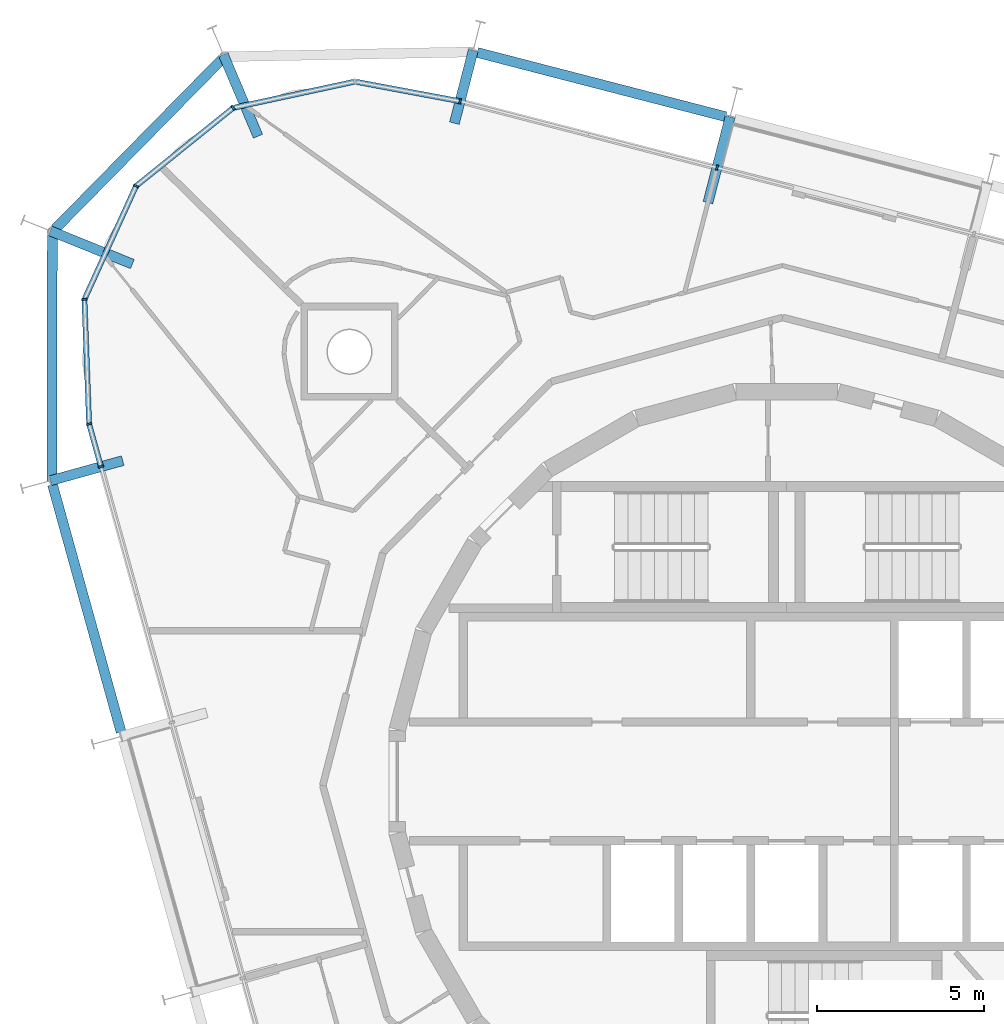
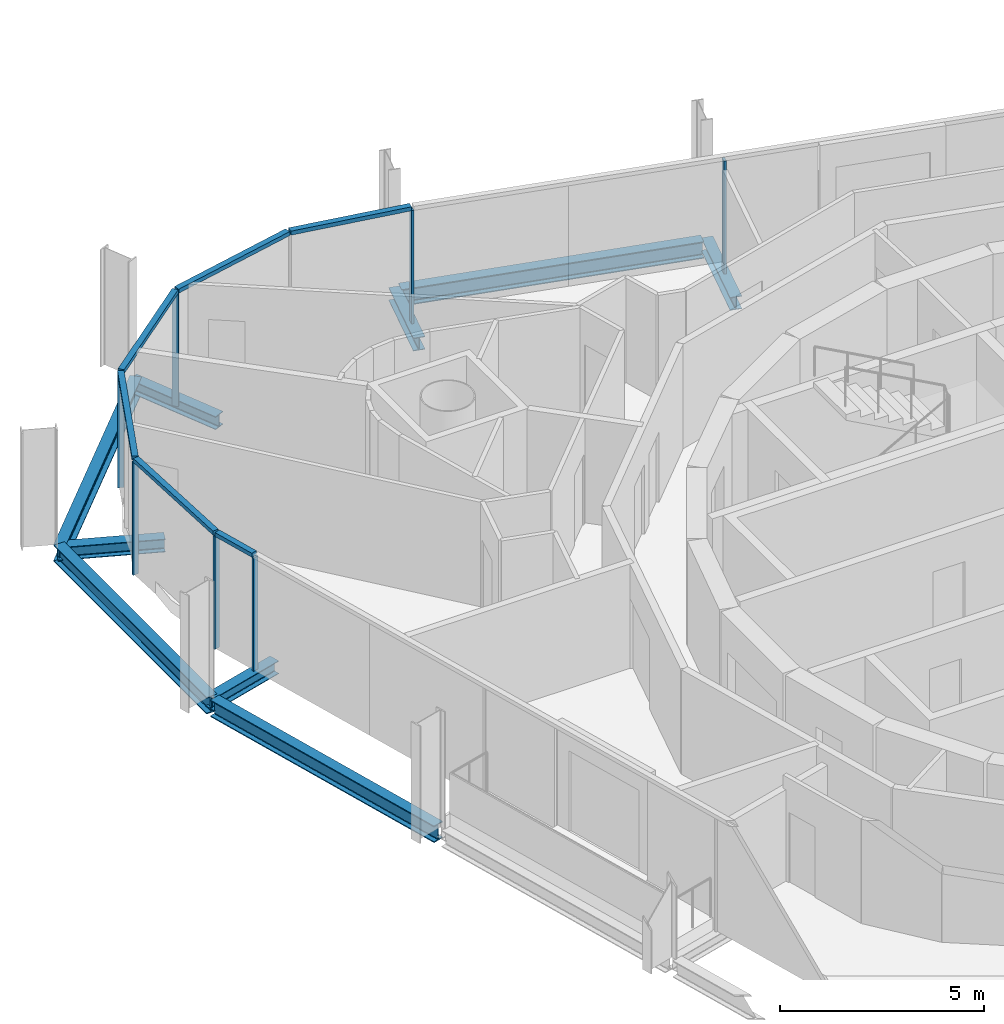
# One storey, part 5 of 15: 13 members, 9 beams, 3 elements without a shape of their own.
"""IFC4 building model written with IfcOpenShell, lengths in metres."""

from ifc_helpers import new_model, si_unit, direction, frame, origin, origin_2d, place, context, subcontext, project, spatial, rectangle, i_section, extrude, material, layer, layer_set, material_profile, profile_set, type_object, element, aggregate, save


model = new_model("IFC4")

# Units and contexts
model_context = context("Model", 3, precision=1e-05, world=origin(), true_north=direction((0.0, 1.0)))
body_context = subcontext(model_context, "Body", "Model", "MODEL_VIEW")
ifc_project = project(units=[si_unit("LENGTHUNIT", "METRE"), si_unit("AREAUNIT", "SQUARE_METRE"), si_unit("VOLUMEUNIT", "CUBIC_METRE"), si_unit("PLANEANGLEUNIT", "RADIAN"), si_unit("MASSUNIT", "GRAM", prefix="KILO")], contexts=[model_context])

# Site, building, storey
site_placement = place(None, origin())
site = spatial("IfcSite", under=ifc_project, at=site_placement, CompositionType="ELEMENT")
building_placement = place(site_placement, origin())
building = spatial("IfcBuilding", under=site, at=building_placement, Name="Spindle Arch Residences", CompositionType="ELEMENT")
storey_placement = place(building_placement, frame((0.0, 0.0, 305.199951171875)))
storey = spatial("IfcBuildingStorey", under=building, at=storey_placement, Name="L78", CompositionType="ELEMENT", Elevation=305.199951171875)

# Curtain wall, member
ifc_material_1 = material(Name="Aluminium bronze unitised frame with tinted glass", Category="aluminium")
ifc_layer_1 = layer(ifc_material_1, 0.159912109375)
ifc_layer_set_1 = layer_set([ifc_layer_1], Name="CW-C typical residential unitised wall")
curtain_wall_type_1 = type_object("IfcCurtainWallType", Name="CW-C typical residential unitised wall", PredefinedType="NOTDEFINED", material=ifc_layer_set_1)
curtain_wall_1_placement = place(storey_placement, origin())
curtain_wall_1 = element("IfcCurtainWall", 1, at=curtain_wall_1_placement, inside=storey, type_object=curtain_wall_type_1, Name="CW-C L78 run 2", PredefinedType="NOTDEFINED")
ifc_material_2 = material(Name="Aluminium bronze anodised mullion", Category="aluminium")
ifc_material_profile_1 = material_profile(ifc_material_2, rectangle(XDim=0.159912109375, YDim=0.06005859375, at=origin_2d()), Name="MU 60x160")
ifc_profile_set_1 = profile_set([ifc_material_profile_1], Name="Aluminium bronze anodised mullion")
member_type_1 = type_object("IfcMemberType", Name="Bronze mullion 60x160", PredefinedType="MULLION", material=ifc_profile_set_1)
member_1_placement = place(storey_placement, frame((-2.084228515625, 18.35107421875, -0.3798828125), z_axis=(0.0, 0.0, 1.0), x_axis=(-0.250380004054, -0.968147640378, 0.0)))
member_1 = element("IfcMember", 2, at=member_1_placement, type_object=member_type_1, Name="CW-C mullion 07", PredefinedType="MULLION", context=body_context, shape_type="SweptSolid", body=[
    extrude(rectangle(XDim=0.159912109375, YDim=0.06005859375, at=origin_2d()), origin(), (0.0, 0.0, 1.0), 3.3798828125),
])
aggregate(curtain_wall_1, [member_1])

# Curtain wall, members
ifc_material_3 = material(Name="Aluminium bronze unitised frame with tinted glass", Category="aluminium")
ifc_layer_2 = layer(ifc_material_3, 0.159912109375)
ifc_layer_set_2 = layer_set([ifc_layer_2], Name="CW-D corner wall on the fillet arcs")
curtain_wall_type_2 = type_object("IfcCurtainWallType", Name="CW-D corner wall on the fillet arcs", PredefinedType="NOTDEFINED", material=ifc_layer_set_2)
curtain_wall_2_placement = place(storey_placement, origin())
curtain_wall_2 = element("IfcCurtainWall", 3, at=curtain_wall_2_placement, inside=storey, type_object=curtain_wall_type_2, Name="CW-D L78 run 3", PredefinedType="NOTDEFINED")
member_2_placement = place(storey_placement, frame((-9.7666015625, 20.337890625, -0.3798828125), z_axis=(0.0, 0.0, 1.0), x_axis=(-0.183837217301, -0.98295670176, 0.0)))
member_2 = element("IfcMember", 4, at=member_2_placement, type_object=member_type_1, Name="CW-D mullion 00", PredefinedType="MULLION", context=body_context, shape_type="SweptSolid", body=[
    extrude(rectangle(XDim=0.159912109375, YDim=0.06005859375, at=origin_2d()), origin(), (0.0, 0.0, 1.0), 3.3798828125),
])
member_3_placement = place(storey_placement, frame((-16.5517578125, 20.14013671875, -0.3798828125), z_axis=(0.0, 0.0, 1.0), x_axis=(0.627057107401, -0.778973288411, 0.0)))
member_3 = element("IfcMember", 5, at=member_3_placement, type_object=member_type_1, Name="CW-D mullion 02", PredefinedType="MULLION", context=body_context, shape_type="SweptSolid", body=[
    extrude(rectangle(XDim=0.159912109375, YDim=0.06005859375, at=origin_2d()), origin(), (0.0, 0.0, 1.0), 3.3798828125),
])
member_4_placement = place(storey_placement, frame((-19.454833984375, 17.80322265625, -0.3798828125), z_axis=(0.0, 0.0, 1.0), x_axis=(0.9099612694, -0.414693245896, 0.0)))
member_4 = element("IfcMember", 6, at=member_4_placement, type_object=member_type_1, Name="CW-D mullion 03", PredefinedType="MULLION", context=body_context, shape_type="SweptSolid", body=[
    extrude(rectangle(XDim=0.159912109375, YDim=0.06005859375, at=origin_2d()), origin(), (0.0, 0.0, 1.0), 3.3798828125),
])
member_5_placement = place(storey_placement, frame((-21.00048828125, 14.411865234375, -0.3798828125), z_axis=(0.0, 0.0, 1.0), x_axis=(0.999285080405, 0.037806455536, 0.0)))
member_5 = element("IfcMember", 7, at=member_5_placement, type_object=member_type_1, Name="CW-D mullion 04", PredefinedType="MULLION", context=body_context, shape_type="SweptSolid", body=[
    extrude(rectangle(XDim=0.159912109375, YDim=0.06005859375, at=origin_2d()), origin(), (0.0, 0.0, 1.0), 3.3798828125),
])
member_6_placement = place(storey_placement, frame((-20.859375, 10.687744140625, -0.3798828125), z_axis=(0.0, 0.0, 1.0), x_axis=(0.963630453209, 0.267238376078, 0.0)))
member_6 = element("IfcMember", 8, at=member_6_placement, type_object=member_type_1, Name="CW-D mullion 05", PredefinedType="MULLION", context=body_context, shape_type="SweptSolid", body=[
    extrude(rectangle(XDim=0.159912109375, YDim=0.06005859375, at=origin_2d()), origin(), (0.0, 0.0, 1.0), 3.3798828125),
])

# Curtain wall, member
curtain_wall_3_placement = place(storey_placement, origin())
curtain_wall_3 = element("IfcCurtainWall", 9, at=curtain_wall_3_placement, inside=storey, type_object=curtain_wall_type_1, Name="CW-C L78 run 4", PredefinedType="NOTDEFINED")
member_7_placement = place(storey_placement, frame((-20.505126953125, 9.41015625, -0.3798828125), z_axis=(0.0, 0.0, 1.0), x_axis=(0.963630453209, 0.267238376078, 0.0)))
member_7 = element("IfcMember", 10, at=member_7_placement, type_object=member_type_1, Name="CW-C mullion 11", PredefinedType="MULLION", context=body_context, shape_type="SweptSolid", body=[
    extrude(rectangle(XDim=0.159912109375, YDim=0.06005859375, at=origin_2d()), origin(), (0.0, 0.0, 1.0), 3.3798828125),
])
aggregate(curtain_wall_3, [member_7])

# Member
ifc_material_4 = material(Name="Aluminium bronze anodised transom", Category="aluminium")
ifc_material_profile_2 = material_profile(ifc_material_4, rectangle(XDim=0.159912109375, YDim=0.1201171875, at=origin_2d()), Name="TR 120x160")
ifc_profile_set_2 = profile_set([ifc_material_profile_2], Name="Aluminium bronze anodised transom")
member_type_2 = type_object("IfcMemberType", Name="Bronze transom 120x160", PredefinedType="USERDEFINED", material=ifc_profile_set_2)
member_8_placement = place(storey_placement, frame((-9.796142578125, 20.34326171875, 3.06005859375), z_axis=(-0.982955792974, 0.183842076412, 0.0), x_axis=(-0.183842076412, -0.982955792974, 0.0)))
member_8 = element("IfcMember", 11, at=member_8_placement, type_object=member_type_2, Name="CW-D transom 00", ObjectType="TRANSOM", PredefinedType="USERDEFINED", context=body_context, shape_type="SweptSolid", body=[
    extrude(rectangle(XDim=0.159912109375, YDim=0.1201171875, at=origin_2d()), origin(), (0.0, 0.0, 1.0), 3.13671875),
])

member_9_placement = place(storey_placement, frame((-12.938232421875, 20.919189453125, 3.06005859375), z_axis=(-0.977527770532, -0.210806683571, 0.0), x_axis=(0.210806683571, -0.977527770532, 0.0)))
member_9 = element("IfcMember", 12, at=member_9_placement, type_object=member_type_2, Name="CW-D transom 01", ObjectType="TRANSOM", PredefinedType="USERDEFINED", context=body_context, shape_type="SweptSolid", body=[
    extrude(rectangle(XDim=0.159912109375, YDim=0.1201171875, at=origin_2d()), origin(), (0.0, 0.0, 1.0), 3.66650390625),
])

member_10_placement = place(storey_placement, frame((-16.5751953125, 20.121337890625, 3.06005859375), z_axis=(-0.778981543265, -0.627046852518, 0.0), x_axis=(0.627046852518, -0.778981543265, 0.0)))
member_10 = element("IfcMember", 13, at=member_10_placement, type_object=member_type_2, Name="CW-D transom 02", ObjectType="TRANSOM", PredefinedType="USERDEFINED", context=body_context, shape_type="SweptSolid", body=[
    extrude(rectangle(XDim=0.159912109375, YDim=0.1201171875, at=origin_2d()), origin(), (0.0, 0.0, 1.0), 3.6669921875),
])

member_11_placement = place(storey_placement, frame((-19.46728515625, 17.77587890625, 3.06005859375), z_axis=(-0.414725728642, -0.90994646546, 0.0), x_axis=(0.90994646546, -0.414725728642, 0.0)))
member_11 = element("IfcMember", 14, at=member_11_placement, type_object=member_type_2, Name="CW-D transom 03", ObjectType="TRANSOM", PredefinedType="USERDEFINED", context=body_context, shape_type="SweptSolid", body=[
    extrude(rectangle(XDim=0.159912109375, YDim=0.1201171875, at=origin_2d()), origin(), (0.0, 0.0, 1.0), 3.6669921875),
])

member_12_placement = place(storey_placement, frame((-20.999267578125, 14.382080078125, 3.06005859375), z_axis=(0.03781688996, -0.99928468558, 0.0), x_axis=(0.99928468558, 0.03781688996, 0.0)))
member_12 = element("IfcMember", 15, at=member_12_placement, type_object=member_type_2, Name="CW-D transom 04", ObjectType="TRANSOM", PredefinedType="USERDEFINED", context=body_context, shape_type="SweptSolid", body=[
    extrude(rectangle(XDim=0.159912109375, YDim=0.1201171875, at=origin_2d()), origin(), (0.0, 0.0, 1.0), 3.6669921875),
])

member_13_placement = place(storey_placement, frame((-20.8515625, 10.658935546875, 3.06005859375), z_axis=(0.267275846412, -0.963620060981, 0.0), x_axis=(0.963620060981, 0.267275846412, 0.0)))
member_13 = element("IfcMember", 16, at=member_13_placement, type_object=member_type_2, Name="CW-D transom 05", ObjectType="TRANSOM", PredefinedType="USERDEFINED", context=body_context, shape_type="SweptSolid", body=[
    extrude(rectangle(XDim=0.159912109375, YDim=0.1201171875, at=origin_2d()), origin(), (0.0, 0.0, 1.0), 1.26611328125),
])

aggregate(curtain_wall_2, [member_2, member_8, member_9, member_3, member_10, member_4, member_11, member_5, member_12, member_6, member_13])

# Beams
ifc_material_5 = material(Name="Steel S460ML, intumescent coating R 120", Category="steel")
ifc_material_profile_3 = material_profile(ifc_material_5, i_section(OverallWidth=0.300048828125, OverallDepth=0.5, WebThickness=0.014404296875, FlangeThickness=0.028076171875, FilletRadius=0.027099609375, at=origin_2d()), Name="HEB 500")
ifc_profile_set_3 = profile_set([ifc_material_profile_3], Name="Steel S460ML, intumescent coating R 120")
beam_type_1 = type_object("IfcBeamType", Name="Exoskeleton edge beam HEB 500", PredefinedType="BEAM", material=ifc_profile_set_3)
beam_1_placement = place(storey_placement, frame((-1.824462890625, 19.87451171875, -0.6298828125), z_axis=(-0.968149836341, 0.250371512743, 0.0), x_axis=(-0.250371512743, -0.968149836341, 0.0)))
element("IfcBeam", 17, at=beam_1_placement, inside=storey, type_object=beam_type_1, Name="Exoskeleton edge beam 8", PredefinedType="BEAM", context=body_context, shape_type="SweptSolid", body=[
    extrude(i_section(OverallWidth=0.300048828125, OverallDepth=0.5, WebThickness=0.014404296875, FlangeThickness=0.028076171875, FilletRadius=0.027099609375, at=origin_2d()), origin(), (0.0, 0.0, 1.0), 7.675048828125),
])
beam_2_placement = place(storey_placement, frame((-16.767333984375, 21.715576171875, -0.6298828125), z_axis=(-0.700904877176, -0.713254760342, 0.0), x_axis=(0.713254760342, -0.700904877176, 0.0)))
element("IfcBeam", 18, at=beam_2_placement, inside=storey, type_object=beam_type_1, Name="Exoskeleton edge beam 10", PredefinedType="BEAM", context=body_context, shape_type="SweptSolid", body=[
    extrude(i_section(OverallWidth=0.300048828125, OverallDepth=0.5, WebThickness=0.014404296875, FlangeThickness=0.028076171875, FilletRadius=0.027099609375, at=origin_2d()), origin(), (0.0, 0.0, 1.0), 7.47265625),
])
beam_3_placement = place(storey_placement, frame((-21.95947265625, 16.472412109375, -0.6298828125), z_axis=(-0.001692871227, -0.999998567092, 0.0), x_axis=(0.999998567092, -0.001692871227, 0.0)))
element("IfcBeam", 19, at=beam_3_placement, inside=storey, type_object=beam_type_1, Name="Exoskeleton edge beam 11", PredefinedType="BEAM", context=body_context, shape_type="SweptSolid", body=[
    extrude(i_section(OverallWidth=0.300048828125, OverallDepth=0.5, WebThickness=0.014404296875, FlangeThickness=0.028076171875, FilletRadius=0.027099609375, at=origin_2d()), origin(), (0.0, 0.0, 1.0), 7.499267578125),
])
beam_4_placement = place(storey_placement, frame((-21.954345703125, 8.873291015625, -0.6298828125), z_axis=(0.26723040865, -0.963632662737, 0.0), x_axis=(0.963632662737, 0.26723040865, 0.0)))
element("IfcBeam", 20, at=beam_4_placement, inside=storey, type_object=beam_type_1, Name="Exoskeleton edge beam 12", PredefinedType="BEAM", context=body_context, shape_type="SweptSolid", body=[
    extrude(i_section(OverallWidth=0.300048828125, OverallDepth=0.5, WebThickness=0.014404296875, FlangeThickness=0.028076171875, FilletRadius=0.027099609375, at=origin_2d()), origin(), (0.0, 0.0, 1.0), 7.675048828125),
])
ifc_material_6 = material(Name="Steel S460ML, intumescent coating R 120", Category="steel")
ifc_material_profile_4 = material_profile(ifc_material_6, i_section(OverallWidth=0.300048828125, OverallDepth=0.389892578125, WebThickness=0.010986328125, FlangeThickness=0.01904296875, FilletRadius=0.027099609375, at=origin_2d()), Name="HEA 400")
ifc_profile_set_4 = profile_set([ifc_material_profile_4], Name="Steel S460ML, intumescent coating R 120")
beam_type_2 = type_object("IfcBeamType", Name="Floor outrigger HEA 400", PredefinedType="BEAM", material=ifc_profile_set_4)
beam_5_placement = place(storey_placement, frame((-1.691162109375, 19.87109375, -0.574951171875), z_axis=(-0.250396221036, -0.968143446237, 0.0), x_axis=(0.968143446237, -0.250396221036, 0.0)))
element("IfcBeam", 21, at=beam_5_placement, inside=storey, type_object=beam_type_2, Name="Floor outrigger 8", PredefinedType="BEAM", context=body_context, shape_type="SweptSolid", body=[
    extrude(i_section(OverallWidth=0.300048828125, OverallDepth=0.389892578125, WebThickness=0.010986328125, FlangeThickness=0.01904296875, FilletRadius=0.027099609375, at=origin_2d()), origin(), (0.0, 0.0, 1.0), 2.650146484375),
])
beam_6_placement = place(storey_placement, frame((-9.37353515625, 21.857666015625, -0.574951171875), z_axis=(-0.250347717753, -0.968155989609, 0.0), x_axis=(0.968155989609, -0.250347717753, 0.0)))
element("IfcBeam", 22, at=beam_6_placement, inside=storey, type_object=beam_type_2, Name="Floor outrigger 9", PredefinedType="BEAM", context=body_context, shape_type="SweptSolid", body=[
    extrude(i_section(OverallWidth=0.300048828125, OverallDepth=0.389892578125, WebThickness=0.010986328125, FlangeThickness=0.01904296875, FilletRadius=0.027099609375, at=origin_2d()), origin(), (0.0, 0.0, 1.0), 2.247802734375),
])
for number, where, z_axis, x_axis, name in (
    (23, (-16.8427734375, 21.73046875, -0.574951171875), (0.390625555943, -0.920549659195, 0.0), (0.920549659195, 0.390625555943, 0.0), "Floor outrigger 10"),
    (24, (-22.02099609375, 16.4609375, -0.574951171875), (0.927219688575, -0.374517888917, 0.0), (0.374517888917, 0.927219688575, 0.0), "Floor outrigger 11"),
):
    element("IfcBeam", number, at=place(storey_placement, frame(where, z_axis=z_axis, x_axis=x_axis)), inside=storey, type_object=beam_type_2, Name=name, PredefinedType="BEAM", context=body_context, shape_type="SweptSolid", body=[
        extrude(i_section(OverallWidth=0.300048828125, OverallDepth=0.389892578125, WebThickness=0.010986328125, FlangeThickness=0.01904296875, FilletRadius=0.027099609375, at=origin_2d()), origin(), (0.0, 0.0, 1.0), 2.64990234375),
    ])
beam_7_placement = place(storey_placement, frame((-22.01806640625, 8.990478515625, -0.574951171875), z_axis=(0.963622081643, 0.267268561132, 0.0), x_axis=(-0.267268561132, 0.963622081643, 0.0)))
element("IfcBeam", 25, at=beam_7_placement, inside=storey, type_object=beam_type_2, Name="Floor outrigger 12", PredefinedType="BEAM", context=body_context, shape_type="SweptSolid", body=[
    extrude(i_section(OverallWidth=0.300048828125, OverallDepth=0.389892578125, WebThickness=0.010986328125, FlangeThickness=0.01904296875, FilletRadius=0.027099609375, at=origin_2d()), origin(), (0.0, 0.0, 1.0), 2.248046875),
])

save(model, "model.ifc")
